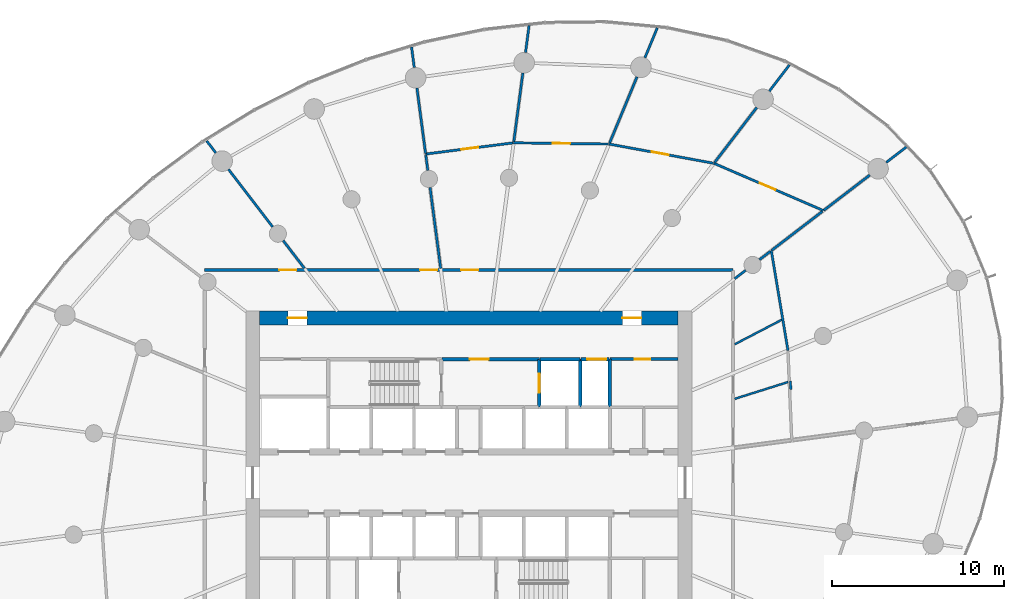
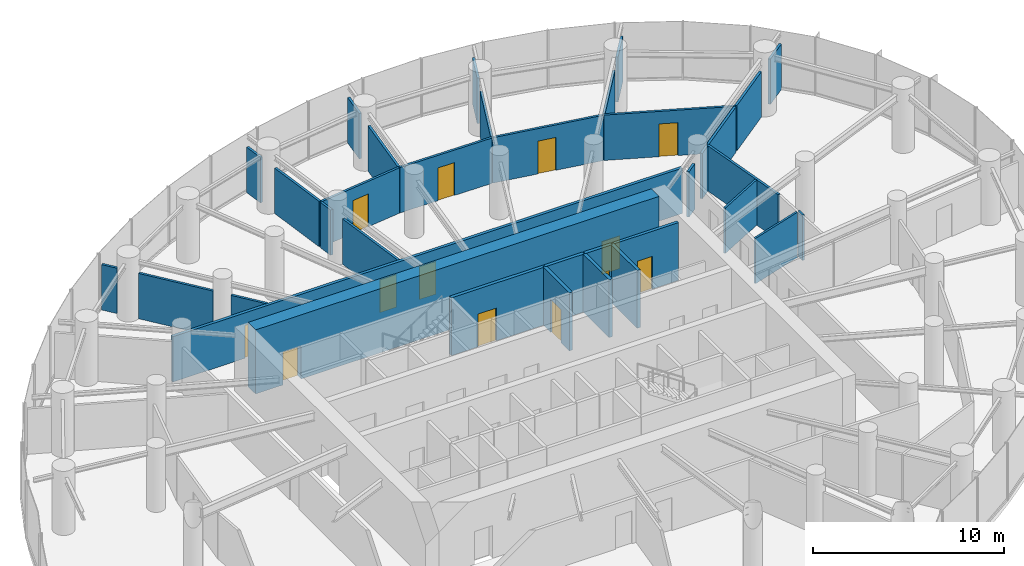
# One storey, part 13 of 17: 35 walls, 13 doors, 13 openings.
"""IFC4 building model written with IfcOpenShell, lengths in metres."""

from ifc_helpers import new_model, si_unit, direction, frame, frame_2d, origin, place, context, subcontext, project, spatial, rectangle, extrude, source, transform, mapped, material, layer, layer_set, type_object, element, fill, save


model = new_model("IFC4")

# Units and contexts
model_context = context("Model", 3, precision=1e-05, world=origin(), true_north=direction((0.0, 1.0)))
body_context = subcontext(model_context, "Body", "Model", "MODEL_VIEW")
ifc_project = project(units=[si_unit("LENGTHUNIT", "METRE"), si_unit("AREAUNIT", "SQUARE_METRE"), si_unit("VOLUMEUNIT", "CUBIC_METRE"), si_unit("PLANEANGLEUNIT", "RADIAN"), si_unit("MASSUNIT", "GRAM", prefix="KILO")], contexts=[model_context])

# Site, building, storey
site_placement = place(None, origin())
site = spatial("IfcSite", under=ifc_project, at=site_placement, CompositionType="ELEMENT")
building_placement = place(site_placement, origin())
building = spatial("IfcBuilding", under=site, at=building_placement, Name="Spindrift Exchange Tower", CompositionType="ELEMENT")
storey_placement = place(building_placement, frame((0.0, 0.0, 112.60009765625)))
storey = spatial("IfcBuildingStorey", under=building, at=storey_placement, Name="L26", CompositionType="ELEMENT", Elevation=112.60009765625)

# Wall, openings, doors
ifc_material_1 = material(Name="Concrete 65 MPa", Category="concrete")
ifc_layer_1 = layer(ifc_material_1, 0.800048828125)
ifc_layer_set_1 = layer_set([ifc_layer_1], Name="RC Core Wall 800 Concrete 65 MPa")
wall_type_1 = type_object("IfcWallType", Name="RC Core Wall 800 Concrete 65 MPa", PredefinedType="SHEAR", material=ifc_layer_set_1)
wall_1_placement = place(storey_placement, frame((64.199951171875, 57.60009765625, 0.0), z_axis=(0.0, 0.0, 1.0), x_axis=(-1.0, 0.0, 0.0)))
wall_1 = element("IfcWall", 1, at=wall_1_placement, inside=storey, type_object=wall_type_1, Name="Core wall N L26", PredefinedType="SHEAR", context=body_context, shape_type="SweptSolid", body=[
    extrude(rectangle(XDim=24.39990234375, YDim=0.800048828125, at=frame_2d((12.199951171875, 0.0))), origin(), (0.0, 0.0, 1.0), 4.099853515625),
])
opening_1_placement = place(wall_1_placement, frame((21.64990234375, 0.0, 0.0)))
opening_1 = element("IfcOpeningElement", 2, at=opening_1_placement, cuts=wall_1, Name="Opening L26-D20", PredefinedType="OPENING", context=body_context, shape_type="SweptSolid", body=[
    extrude(rectangle(XDim=1.10009765625, YDim=2.10009765625, at=frame_2d((0.550048828125, 1.050048828125))), frame((0.0, 0.409912109375, 0.0), z_axis=(0.0, -1.0, 0.0), x_axis=(1.0, 0.0, 0.0)), (0.0, 0.0, 1.0), 0.820068359375),
])
opening_2_placement = place(wall_1_placement, frame((2.14990234375, 0.0, 0.0)))
opening_2 = element("IfcOpeningElement", 3, at=opening_2_placement, cuts=wall_1, Name="Opening L26-D21", PredefinedType="OPENING", context=body_context, shape_type="SweptSolid", body=[
    extrude(rectangle(XDim=1.10009765625, YDim=2.10009765625, at=frame_2d((0.550048828125, 1.050048828125))), frame((0.0, 0.409912109375, 0.0), z_axis=(0.0, -1.0, 0.0), x_axis=(1.0, 0.0, 0.0)), (0.0, 0.0, 1.0), 0.820068359375),
])
ifc_material_2 = material(Name="Steel fire door", Category="steel")
door_type_1 = type_object("IfcDoorType", Name="DR-STAIR-1100", OperationType="NOTDEFINED", PredefinedType="DOOR", material=ifc_material_2)
shared_shape_1 = source(origin(), body_context, "Body", "SweptSolid", [
    extrude(rectangle(XDim=1.10009765625, YDim=2.10009765625, at=frame_2d((0.550048828125, 1.050048828125))), frame((0.0, 0.02490234375, 0.0), z_axis=(0.0, -1.0, 0.0), x_axis=(1.0, 0.0, 0.0)), (0.0, 0.0, 1.0), 0.050048828125),
])
door_1_placement = place(opening_1_placement, origin())
door_1 = element("IfcDoor", 4, at=door_1_placement, inside=storey, type_object=door_type_1, Name="L26 Stair door 20", OperationType="SINGLE_SWING_RIGHT", OverallHeight=2.10009765625, OverallWidth=1.10009765625, PredefinedType="DOOR", context=body_context, shape_type="MappedRepresentation", body=[
    mapped(shared_shape_1, transform((0.0, 0.0, 0.0), scale=1.0)),
])
fill(opening_1, door_1)
door_2_placement = place(opening_2_placement, origin())
door_2 = element("IfcDoor", 5, at=door_2_placement, inside=storey, type_object=door_type_1, Name="L26 Stair door 21", OperationType="SINGLE_SWING_LEFT", OverallHeight=2.10009765625, OverallWidth=1.10009765625, PredefinedType="DOOR", context=body_context, shape_type="MappedRepresentation", body=[
    mapped(shared_shape_1, transform((0.0, 0.0, 0.0), scale=1.0)),
])
fill(opening_2, door_2)

# Wall, opening, door
ifc_material_3 = material(Name="Fire-rated plasterboard partition", Category="gypsum")
ifc_layer_2 = layer(ifc_material_3, 0.179931640625)
ifc_layer_set_2 = layer_set([ifc_layer_2], Name="W-CORR-180")
wall_type_2 = type_object("IfcWallType", Name="W-CORR-180", PredefinedType="PARTITIONING", material=ifc_layer_set_2)
wall_2_placement = place(storey_placement, frame((64.179931640625, 55.199951171875, 0.0), z_axis=(0.0, 0.0, 1.0), x_axis=(-1.0, 0.0, 0.0)))
wall_2 = element("IfcWall", 6, at=wall_2_placement, inside=storey, type_object=wall_type_2, Name="L26 Partition wall 62", PredefinedType="PARTITIONING", context=body_context, shape_type="SweptSolid", body=[
    extrude(rectangle(XDim=3.949951171875, YDim=0.179931640625, at=frame_2d((1.97509765625, 0.0))), origin(), (0.0, 0.0, 1.0), 3.699951171875),
])
opening_3_placement = place(wall_2_placement, frame((1.60009765625, 0.0, 0.0)))
opening_3 = element("IfcOpeningElement", 7, at=opening_3_placement, cuts=wall_2, Name="Opening L26-D52", PredefinedType="OPENING", context=body_context, shape_type="SweptSolid", body=[
    extrude(rectangle(XDim=0.89990234375, YDim=2.10009765625, at=frame_2d((0.449951171875, 1.050048828125))), frame((0.0, 0.099853515625, 0.0), z_axis=(0.0, -1.0, 0.0), x_axis=(1.0, 0.0, 0.0)), (0.0, 0.0, 1.0), 0.199951171875),
])
ifc_material_4 = material(Name="Steel access door", Category="steel")
door_type_2 = type_object("IfcDoorType", Name="DR-RISER-900", OperationType="NOTDEFINED", PredefinedType="DOOR", material=ifc_material_4)
shared_shape_2 = source(origin(), body_context, "Body", "SweptSolid", [
    extrude(rectangle(XDim=0.89990234375, YDim=2.10009765625, at=frame_2d((0.449951171875, 1.050048828125))), frame((0.0, 0.02490234375, 0.0), z_axis=(0.0, -1.0, 0.0), x_axis=(1.0, 0.0, 0.0)), (0.0, 0.0, 1.0), 0.050048828125),
])
door_3_placement = place(opening_3_placement, origin())
door_3 = element("IfcDoor", 8, at=door_3_placement, inside=storey, type_object=door_type_2, Name="L26 Riser door 52", OperationType="SINGLE_SWING_RIGHT", OverallHeight=2.10009765625, OverallWidth=0.89990234375, PredefinedType="DOOR", context=body_context, shape_type="MappedRepresentation", body=[
    mapped(shared_shape_2, transform((0.0, 0.0, 0.0), scale=1.0)),
])
fill(opening_3, door_3)

# Wall
ifc_layer_3 = layer(ifc_material_3, 0.1201171875)
ifc_layer_set_3 = layer_set([ifc_layer_3], Name="W-PLANT-120")
wall_type_3 = type_object("IfcWallType", Name="W-PLANT-120", PredefinedType="PARTITIONING", material=ifc_layer_set_3)
wall_3_placement = place(storey_placement, frame((70.761962890625, 53.432373046875, 0.0), z_axis=(0.0, 0.0, 1.0), x_axis=(-0.018797491122, 0.999823311554, 0.0)))
element("IfcWall", 9, at=wall_3_placement, inside=storey, type_object=wall_type_3, Name="L26 Partition wall 139", PredefinedType="PARTITIONING", context=body_context, shape_type="SweptSolid", body=[
    extrude(rectangle(XDim=0.48046875, YDim=0.1201171875, at=frame_2d((0.240234375, 0.0))), origin(), (0.0, 0.0, 1.0), 2.89990234375),
])

# Wall, opening, door
ifc_layer_4 = layer(ifc_material_3, 0.139892578125)
ifc_layer_set_4 = layer_set([ifc_layer_4], Name="W-PLANT-140")
wall_type_4 = type_object("IfcWallType", Name="W-PLANT-140", PredefinedType="PARTITIONING", material=ifc_layer_set_4)
wall_4_placement = place(storey_placement, frame((66.282958984375, 66.614013671875, 0.0), z_axis=(0.0, 0.0, 1.0), x_axis=(0.918121300146, -0.396299480467, 0.0)))
wall_4 = element("IfcWall", 10, at=wall_4_placement, inside=storey, type_object=wall_type_4, Name="L26 Partition wall 65", PredefinedType="PARTITIONING", context=body_context, shape_type="SweptSolid", body=[
    extrude(rectangle(XDim=6.953369140625, YDim=0.139892578125, at=frame_2d((3.4765625, 0.0))), origin(), (0.0, 0.0, 1.0), 2.89990234375),
])
opening_4_placement = place(wall_4_placement, frame((2.9033203125, 0.0, 0.0)))
opening_4 = element("IfcOpeningElement", 11, at=opening_4_placement, cuts=wall_4, Name="Opening L26-D28", PredefinedType="OPENING", context=body_context, shape_type="SweptSolid", body=[
    extrude(rectangle(XDim=1.0, YDim=2.10009765625, at=frame_2d((0.5, 1.050048828125))), frame((0.0, 0.079833984375, 0.0), z_axis=(0.0, -1.0, 0.0), x_axis=(1.0, 0.0, 0.0)), (0.0, 0.0, 1.0), 0.159912109375),
])
ifc_material_5 = material(Name="Timber-core fire door", Category="wood")
door_type_3 = type_object("IfcDoorType", Name="DR-ROOM-1000", OperationType="NOTDEFINED", PredefinedType="DOOR", material=ifc_material_5)
shared_shape_3 = source(origin(), body_context, "Body", "SweptSolid", [
    extrude(rectangle(XDim=1.0, YDim=2.10009765625, at=frame_2d((0.5, 1.050048828125))), frame((0.0, 0.02490234375, 0.0), z_axis=(0.0, -1.0, 0.0), x_axis=(1.0, 0.0, 0.0)), (0.0, 0.0, 1.0), 0.050048828125),
])
door_4_placement = place(opening_4_placement, origin())
door_4 = element("IfcDoor", 12, at=door_4_placement, inside=storey, type_object=door_type_3, Name="L26 Door 28", OperationType="SINGLE_SWING_RIGHT", OverallHeight=2.10009765625, OverallWidth=1.0, PredefinedType="DOOR", context=body_context, shape_type="MappedRepresentation", body=[
    mapped(shared_shape_3, transform((0.0, 0.0, 0.0), scale=1.0)),
])
fill(opening_4, door_4)

wall_5_placement = place(storey_placement, frame((60.175048828125, 67.736328125, 0.0), z_axis=(0.0, 0.0, 1.0), x_axis=(0.983532551925, -0.180731069007, 0.0)))
wall_5 = element("IfcWall", 13, at=wall_5_placement, inside=storey, type_object=wall_type_4, Name="L26 Partition wall 67", PredefinedType="PARTITIONING", context=body_context, shape_type="SweptSolid", body=[
    extrude(rectangle(XDim=6.18017578125, YDim=0.139892578125, at=frame_2d((3.090087890625, 0.0))), origin(), (0.0, 0.0, 1.0), 2.89990234375),
])
opening_5_placement = place(wall_5_placement, frame((2.5302734375, 0.0, 0.0)))
opening_5 = element("IfcOpeningElement", 14, at=opening_5_placement, cuts=wall_5, Name="Opening L26-D29", PredefinedType="OPENING", context=body_context, shape_type="SweptSolid", body=[
    extrude(rectangle(XDim=1.0, YDim=2.10009765625, at=frame_2d((0.5, 1.050048828125))), frame((0.0, 0.079833984375, 0.0), z_axis=(0.0, -1.0, 0.0), x_axis=(1.0, 0.0, 0.0)), (0.0, 0.0, 1.0), 0.159912109375),
])
door_5_placement = place(opening_5_placement, origin())
door_5 = element("IfcDoor", 15, at=door_5_placement, inside=storey, type_object=door_type_3, Name="L26 Door 29", OperationType="SINGLE_SWING_LEFT", OverallHeight=2.10009765625, OverallWidth=1.0, PredefinedType="DOOR", context=body_context, shape_type="MappedRepresentation", body=[
    mapped(shared_shape_3, transform((0.0, 0.0, 0.0), scale=1.0)),
])
fill(opening_5, door_5)

# Wall
wall_6_placement = place(storey_placement, frame((70.59521484375, 55.702392578125, 0.0), z_axis=(0.0, 0.0, 1.0), x_axis=(-0.163882608994, 0.986479847979, 0.0)))
element("IfcWall", 16, at=wall_6_placement, inside=storey, type_object=wall_type_4, Name="L26 Partition wall 71", PredefinedType="PARTITIONING", context=body_context, shape_type="SweptSolid", body=[
    extrude(rectangle(XDim=5.90380859375, YDim=0.139892578125, at=frame_2d((2.951904296875, 0.0))), origin(), (0.0, 0.0, 1.0), 2.89990234375),
])

# Wall, opening, door
wall_7_placement = place(storey_placement, frame((54.60791015625, 67.80908203125, 0.0), z_axis=(0.0, 0.0, 1.0), x_axis=(0.999914844667, -0.01305003501, 0.0)))
wall_7 = element("IfcWall", 17, at=wall_7_placement, inside=storey, type_object=wall_type_4, Name="L26 Partition wall 74", PredefinedType="PARTITIONING", context=body_context, shape_type="SweptSolid", body=[
    extrude(rectangle(XDim=5.53759765625, YDim=0.139892578125, at=frame_2d((2.768798828125, 0.0))), origin(), (0.0, 0.0, 1.0), 2.89990234375),
])
opening_6_placement = place(wall_7_placement, frame((2.28759765625, 0.0, 0.0)))
opening_6 = element("IfcOpeningElement", 18, at=opening_6_placement, cuts=wall_7, Name="Opening L26-D30", PredefinedType="OPENING", context=body_context, shape_type="SweptSolid", body=[
    extrude(rectangle(XDim=1.0, YDim=2.10009765625, at=frame_2d((0.5, 1.050048828125))), frame((0.0, 0.079833984375, 0.0), z_axis=(0.0, -1.0, 0.0), x_axis=(1.0, 0.0, 0.0)), (0.0, 0.0, 1.0), 0.159912109375),
])
door_6_placement = place(opening_6_placement, origin())
door_6 = element("IfcDoor", 19, at=door_6_placement, inside=storey, type_object=door_type_3, Name="L26 Door 30", OperationType="SINGLE_SWING_RIGHT", OverallHeight=2.10009765625, OverallWidth=1.0, PredefinedType="DOOR", context=body_context, shape_type="MappedRepresentation", body=[
    mapped(shared_shape_3, transform((0.0, 0.0, 0.0), scale=1.0)),
])
fill(opening_6, door_6)

wall_8_placement = place(storey_placement, frame((49.47802734375, 67.155517578125, 0.0), z_axis=(0.0, 0.0, 1.0), x_axis=(0.991978436008, 0.126407209031, 0.0)))
wall_8 = element("IfcWall", 20, at=wall_8_placement, inside=storey, type_object=wall_type_4, Name="L26 Partition wall 79", PredefinedType="PARTITIONING", context=body_context, shape_type="SweptSolid", body=[
    extrude(rectangle(XDim=5.141357421875, YDim=0.139892578125, at=frame_2d((2.57080078125, 0.0))), origin(), (0.0, 0.0, 1.0), 2.89990234375),
])
opening_7_placement = place(wall_8_placement, frame((2.09130859375, 0.0, 0.0)))
opening_7 = element("IfcOpeningElement", 21, at=opening_7_placement, cuts=wall_8, Name="Opening L26-D31", PredefinedType="OPENING", context=body_context, shape_type="SweptSolid", body=[
    extrude(rectangle(XDim=1.0, YDim=2.10009765625, at=frame_2d((0.5, 1.050048828125))), frame((0.0, 0.079833984375, 0.0), z_axis=(0.0, -1.0, 0.0), x_axis=(1.0, 0.0, 0.0)), (0.0, 0.0, 1.0), 0.159912109375),
])
door_7_placement = place(opening_7_placement, origin())
door_7 = element("IfcDoor", 22, at=door_7_placement, inside=storey, type_object=door_type_3, Name="L26 Door 31", OperationType="SINGLE_SWING_LEFT", OverallHeight=2.10009765625, OverallWidth=1.0, PredefinedType="DOOR", context=body_context, shape_type="MappedRepresentation", body=[
    mapped(shared_shape_3, transform((0.0, 0.0, 0.0), scale=1.0)),
])
fill(opening_7, door_7)

# Walls
wall_9_placement = place(storey_placement, frame((50.355712890625, 60.489990234375, 0.0), z_axis=(0.0, 0.0, 1.0), x_axis=(-0.130548834981, 0.991441880135, 0.0)))
element("IfcWall", 23, at=wall_9_placement, inside=storey, type_object=wall_type_4, Name="L26 Partition wall 84", PredefinedType="PARTITIONING", context=body_context, shape_type="SweptSolid", body=[
    extrude(rectangle(XDim=4.75390625, YDim=0.139892578125, at=frame_2d((2.376953125, 0.0))), origin(), (0.0, 0.0, 1.0), 2.89990234375),
])
wall_10_placement = place(storey_placement, frame((60.202392578125, 67.802490234375, 0.0), z_axis=(0.0, 0.0, 1.0), x_axis=(0.38271390309, 0.923866910535, 0.0)))
element("IfcWall", 24, at=wall_10_placement, inside=storey, type_object=wall_type_4, Name="L26 Partition wall 87", PredefinedType="PARTITIONING", context=body_context, shape_type="SweptSolid", body=[
    extrude(rectangle(XDim=4.168212890625, YDim=0.139892578125, at=frame_2d((2.083984375, 0.0))), origin(), (0.0, 0.0, 1.0), 2.89990234375),
])
wall_11_placement = place(storey_placement, frame((40.55908203125, 62.91015625, 0.0), z_axis=(0.0, 0.0, 1.0), x_axis=(-0.608789197027, 0.793332032369, 0.0)))
element("IfcWall", 25, at=wall_11_placement, inside=storey, type_object=wall_type_4, Name="L26 Partition wall 88", PredefinedType="PARTITIONING", context=body_context, shape_type="SweptSolid", body=[
    extrude(rectangle(XDim=4.226806640625, YDim=0.139892578125, at=frame_2d((2.11328125, 0.0))), origin(), (0.0, 0.0, 1.0), 2.89990234375),
])
wall_12_placement = place(storey_placement, frame((54.6171875, 67.87890625, 0.0), z_axis=(0.0, 0.0, 1.0), x_axis=(0.130506184728, 0.991447495205, 0.0)))
element("IfcWall", 26, at=wall_12_placement, inside=storey, type_object=wall_type_4, Name="L26 Partition wall 90", PredefinedType="PARTITIONING", context=body_context, shape_type="SweptSolid", body=[
    extrude(rectangle(XDim=4.033203125, YDim=0.139892578125, at=frame_2d((2.0166015625, 0.0))), origin(), (0.0, 0.0, 1.0), 2.89990234375),
])
wall_13_placement = place(storey_placement, frame((66.326904296875, 66.671142578125, 0.0), z_axis=(0.0, 0.0, 1.0), x_axis=(0.608734471968, 0.793374024428, 0.0)))
element("IfcWall", 27, at=wall_13_placement, inside=storey, type_object=wall_type_4, Name="L26 Partition wall 92", PredefinedType="PARTITIONING", context=body_context, shape_type="SweptSolid", body=[
    extrude(rectangle(XDim=4.0263671875, YDim=0.139892578125, at=frame_2d((2.01318359375, 0.0))), origin(), (0.0, 0.0, 1.0), 2.89990234375),
])
wall_14_placement = place(storey_placement, frame((49.47412109375, 67.185302734375, 0.0), z_axis=(0.0, 0.0, 1.0), x_axis=(-0.130528450204, 0.991444564102, 0.0)))
element("IfcWall", 28, at=wall_14_placement, inside=storey, type_object=wall_type_4, Name="L26 Partition wall 95", PredefinedType="PARTITIONING", context=body_context, shape_type="SweptSolid", body=[
    extrude(rectangle(XDim=3.84375, YDim=0.139892578125, at=frame_2d((1.921875, 0.0))), origin(), (0.0, 0.0, 1.0), 2.89990234375),
])
wall_15_placement = place(storey_placement, frame((69.651611328125, 61.544677734375, 0.0), z_axis=(0.0, 0.0, 1.0), x_axis=(0.793377127062, 0.608730428232, 0.0)))
element("IfcWall", 29, at=wall_15_placement, inside=storey, type_object=wall_type_4, Name="L26 Partition wall 97", PredefinedType="PARTITIONING", context=body_context, shape_type="SweptSolid", body=[
    extrude(rectangle(XDim=3.720703125, YDim=0.139892578125, at=frame_2d((1.8603515625, 0.0))), origin(), (0.0, 0.0, 1.0), 2.89990234375),
])
wall_16_placement = place(storey_placement, frame((72.69091796875, 63.876708984375, 0.0), z_axis=(0.0, 0.0, 1.0), x_axis=(0.793381625317, 0.608724565472, 0.0)))
element("IfcWall", 30, at=wall_16_placement, inside=storey, type_object=wall_type_4, Name="L26 Partition wall 101", PredefinedType="PARTITIONING", context=body_context, shape_type="SweptSolid", body=[
    extrude(rectangle(XDim=3.37548828125, YDim=0.139892578125, at=frame_2d((1.687744140625, 0.0))), origin(), (0.0, 0.0, 1.0), 2.89990234375),
])
wall_17_placement = place(storey_placement, frame((42.416015625, 60.489990234375, 0.0), z_axis=(0.0, 0.0, 1.0), x_axis=(-0.608727763541, 0.793379171578, 0.0)))
element("IfcWall", 31, at=wall_17_placement, inside=storey, type_object=wall_type_4, Name="L26 Partition wall 108", PredefinedType="PARTITIONING", context=body_context, shape_type="SweptSolid", body=[
    extrude(rectangle(XDim=2.04150390625, YDim=0.139892578125, at=frame_2d((1.020751953125, 0.0))), origin(), (0.0, 0.0, 1.0), 2.89990234375),
])
wall_18_placement = place(storey_placement, frame((69.513671875, 70.82421875, 0.0), z_axis=(0.0, 0.0, 1.0), x_axis=(0.608775965964, 0.793342185482, 0.0)))
element("IfcWall", 32, at=wall_18_placement, inside=storey, type_object=wall_type_4, Name="L26 Partition wall 117", PredefinedType="PARTITIONING", context=body_context, shape_type="SweptSolid", body=[
    extrude(rectangle(XDim=1.91943359375, YDim=0.139892578125, at=frame_2d((0.959716796875, 0.0))), origin(), (0.0, 0.0, 1.0), 2.89990234375),
])
wall_19_placement = place(storey_placement, frame((62.260498046875, 72.77099609375, 0.0), z_axis=(0.0, 0.0, 1.0), x_axis=(0.3827117772, 0.923867791187, 0.0)))
element("IfcWall", 33, at=wall_19_placement, inside=storey, type_object=wall_type_4, Name="L26 Partition wall 119", PredefinedType="PARTITIONING", context=body_context, shape_type="SweptSolid", body=[
    extrude(rectangle(XDim=1.876708984375, YDim=0.139892578125, at=frame_2d((0.9384765625, 0.0))), origin(), (0.0, 0.0, 1.0), 2.89990234375),
])
wall_20_placement = place(storey_placement, frame((55.30126953125, 73.075927734375, 0.0), z_axis=(0.0, 0.0, 1.0), x_axis=(0.130526351537, 0.991444840399, 0.0)))
element("IfcWall", 34, at=wall_20_placement, inside=storey, type_object=wall_type_4, Name="L26 Partition wall 122", PredefinedType="PARTITIONING", context=body_context, shape_type="SweptSolid", body=[
    extrude(rectangle(XDim=1.582275390625, YDim=0.139892578125, at=frame_2d((0.791015625, 0.0))), origin(), (0.0, 0.0, 1.0), 2.89990234375),
])
wall_21_placement = place(storey_placement, frame((76.32763671875, 66.667236328125, 0.0), z_axis=(0.0, 0.0, 1.0), x_axis=(0.793320214774, 0.608804596592, 0.0)))
element("IfcWall", 35, at=wall_21_placement, inside=storey, type_object=wall_type_4, Name="L26 Partition wall 125", PredefinedType="PARTITIONING", context=body_context, shape_type="SweptSolid", body=[
    extrude(rectangle(XDim=1.510986328125, YDim=0.139892578125, at=frame_2d((0.75537109375, 0.0))), origin(), (0.0, 0.0, 1.0), 2.89990234375),
])
wall_22_placement = place(storey_placement, frame((48.814697265625, 72.194580078125, 0.0), z_axis=(0.0, 0.0, 1.0), x_axis=(-0.130396807745, 0.991461886574, 0.0)))
element("IfcWall", 36, at=wall_22_placement, inside=storey, type_object=wall_type_4, Name="L26 Partition wall 129", PredefinedType="PARTITIONING", context=body_context, shape_type="SweptSolid", body=[
    extrude(rectangle(XDim=1.203857421875, YDim=0.139892578125, at=frame_2d((0.60205078125, 0.0))), origin(), (0.0, 0.0, 1.0), 2.89990234375),
])
wall_23_placement = place(storey_placement, frame((49.603515625, 66.203369140625, 0.0), z_axis=(0.0, 0.0, 1.0), x_axis=(-0.13051125281, 0.99144682807, 0.0)))
element("IfcWall", 37, at=wall_23_placement, inside=storey, type_object=wall_type_4, Name="L26 Partition wall 131", PredefinedType="PARTITIONING", context=body_context, shape_type="SweptSolid", body=[
    extrude(rectangle(XDim=0.890380859375, YDim=0.139892578125, at=frame_2d((0.4453125, 0.0))), origin(), (0.0, 0.0, 1.0), 2.89990234375),
])
wall_24_placement = place(storey_placement, frame((67.489990234375, 59.885986328125, 0.0), z_axis=(0.0, 0.0, 1.0), x_axis=(0.793316076519, 0.608809989025, 0.0)))
element("IfcWall", 38, at=wall_24_placement, inside=storey, type_object=wall_type_4, Name="L26 Partition wall 132", PredefinedType="PARTITIONING", context=body_context, shape_type="SweptSolid", body=[
    extrude(rectangle(XDim=0.8125, YDim=0.139892578125, at=frame_2d((0.40625, 0.0))), origin(), (0.0, 0.0, 1.0), 2.89990234375),
])
wall_25_placement = place(storey_placement, frame((37.25, 67.222412109375, 0.0), z_axis=(0.0, 0.0, 1.0), x_axis=(-0.608583077593, 0.7934901623, 0.0)))
element("IfcWall", 39, at=wall_25_placement, inside=storey, type_object=wall_type_4, Name="L26 Partition wall 134", PredefinedType="PARTITIONING", context=body_context, shape_type="SweptSolid", body=[
    extrude(rectangle(XDim=0.87939453125, YDim=0.139892578125, at=frame_2d((0.439697265625, 0.0))), origin(), (0.0, 0.0, 1.0), 2.89990234375),
])
wall_26_placement = place(storey_placement, frame((68.93505859375, 60.99462890625, 0.0), z_axis=(0.0, 0.0, 1.0), x_axis=(0.79330932609, 0.608818785139, 0.0)))
element("IfcWall", 40, at=wall_26_placement, inside=storey, type_object=wall_type_4, Name="L26 Partition wall 136", PredefinedType="PARTITIONING", context=body_context, shape_type="SweptSolid", body=[
    extrude(rectangle(XDim=0.7939453125, YDim=0.139892578125, at=frame_2d((0.39697265625, 0.0))), origin(), (0.0, 0.0, 1.0), 2.89990234375),
])

# Wall, openings, doors
ifc_layer_5 = layer(ifc_material_3, 0.179931640625)
ifc_layer_set_5 = layer_set([ifc_layer_5], Name="W-PLANT-180")
wall_type_5 = type_object("IfcWallType", Name="W-PLANT-180", PredefinedType="PARTITIONING", material=ifc_layer_set_5)
wall_27_placement = place(storey_placement, frame((36.60009765625, 60.39990234375, 0.0), z_axis=(0.0, 0.0, 1.0), x_axis=(1.0, 0.0, 0.0)))
wall_27 = element("IfcWall", 41, at=wall_27_placement, inside=storey, type_object=wall_type_5, Name="L26 Partition wall 58", PredefinedType="PARTITIONING", context=body_context, shape_type="SweptSolid", body=[
    extrude(rectangle(XDim=30.7998046875, YDim=0.179931640625, at=frame_2d((15.39990234375, 0.0))), origin(), (0.0, 0.0, 1.0), 2.89990234375),
])
opening_8_placement = place(wall_27_placement, frame((14.949951171875, 0.0, 0.0)))
opening_8 = element("IfcOpeningElement", 42, at=opening_8_placement, cuts=wall_27, Name="Opening L26-D27", PredefinedType="OPENING", context=body_context, shape_type="SweptSolid", body=[
    extrude(rectangle(XDim=1.0, YDim=2.10009765625, at=frame_2d((0.5, 1.050048828125))), frame((0.0, 0.099853515625, 0.0), z_axis=(0.0, -1.0, 0.0), x_axis=(1.0, 0.0, 0.0)), (0.0, 0.0, 1.0), 0.199951171875),
])
opening_9_placement = place(wall_27_placement, frame((12.550048828125, 0.0, 0.0)))
opening_9 = element("IfcOpeningElement", 43, at=opening_9_placement, cuts=wall_27, Name="Opening L26-D33", PredefinedType="OPENING", context=body_context, shape_type="SweptSolid", body=[
    extrude(rectangle(XDim=1.0, YDim=2.10009765625, at=frame_2d((0.5, 1.050048828125))), frame((0.0, 0.099853515625, 0.0), z_axis=(0.0, -1.0, 0.0), x_axis=(1.0, 0.0, 0.0)), (0.0, 0.0, 1.0), 0.199951171875),
])
opening_10_placement = place(wall_27_placement, frame((4.35009765625, 0.0, 0.0)))
opening_10 = element("IfcOpeningElement", 44, at=opening_10_placement, cuts=wall_27, Name="Opening L26-D34", PredefinedType="OPENING", context=body_context, shape_type="SweptSolid", body=[
    extrude(rectangle(XDim=1.0, YDim=2.10009765625, at=frame_2d((0.5, 1.050048828125))), frame((0.0, 0.099853515625, 0.0), z_axis=(0.0, -1.0, 0.0), x_axis=(1.0, 0.0, 0.0)), (0.0, 0.0, 1.0), 0.199951171875),
])
door_8_placement = place(opening_8_placement, origin())
door_8 = element("IfcDoor", 45, at=door_8_placement, inside=storey, type_object=door_type_3, Name="L26 Door 27", OperationType="SINGLE_SWING_LEFT", OverallHeight=2.10009765625, OverallWidth=1.0, PredefinedType="DOOR", context=body_context, shape_type="MappedRepresentation", body=[
    mapped(shared_shape_3, transform((0.0, 0.0, 0.0), scale=1.0)),
])
fill(opening_8, door_8)
door_9_placement = place(opening_9_placement, origin())
door_9 = element("IfcDoor", 46, at=door_9_placement, inside=storey, type_object=door_type_3, Name="L26 Door 33", OperationType="SINGLE_SWING_LEFT", OverallHeight=2.10009765625, OverallWidth=1.0, PredefinedType="DOOR", context=body_context, shape_type="MappedRepresentation", body=[
    mapped(shared_shape_3, transform((0.0, 0.0, 0.0), scale=1.0)),
])
fill(opening_9, door_9)
door_10_placement = place(opening_10_placement, origin())
door_10 = element("IfcDoor", 47, at=door_10_placement, inside=storey, type_object=door_type_3, Name="L26 Door 34", OperationType="SINGLE_SWING_RIGHT", OverallHeight=2.10009765625, OverallWidth=1.0, PredefinedType="DOOR", context=body_context, shape_type="MappedRepresentation", body=[
    mapped(shared_shape_3, transform((0.0, 0.0, 0.0), scale=1.0)),
])
fill(opening_10, door_10)

# Wall, opening, door
ifc_material_6 = material(Name="Concrete 40 MPa", Category="concrete")
ifc_layer_6 = layer(ifc_material_6, 0.199951171875)
ifc_layer_set_6 = layer_set([ifc_layer_6], Name="W-SHAFT-200")
wall_type_6 = type_object("IfcWallType", Name="W-SHAFT-200", PredefinedType="SOLIDWALL", material=ifc_layer_set_6)
wall_28_placement = place(storey_placement, frame((56.10009765625, 55.169921875, 0.0), z_axis=(0.0, 0.0, 1.0), x_axis=(0.0, -1.0, 0.0)))
wall_28 = element("IfcWall", 48, at=wall_28_placement, inside=storey, type_object=wall_type_6, Name="L26 Shaft wall 12", PredefinedType="SOLIDWALL", context=body_context, shape_type="SweptSolid", body=[
    extrude(rectangle(XDim=2.77001953125, YDim=0.199951171875, at=frame_2d((1.385009765625, 0.0))), origin(), (0.0, 0.0, 1.0), 3.699951171875),
])
opening_11_placement = place(wall_28_placement, frame((0.820068359375, 0.0, 0.0)))
opening_11 = element("IfcOpeningElement", 49, at=opening_11_placement, cuts=wall_28, Name="Opening L26-D9", PredefinedType="OPENING", context=body_context, shape_type="SweptSolid", body=[
    extrude(rectangle(XDim=1.10009765625, YDim=2.10009765625, at=frame_2d((0.550048828125, 1.050048828125))), frame((0.0, 0.10986328125, 0.0), z_axis=(0.0, -1.0, 0.0), x_axis=(1.0, 0.0, 0.0)), (0.0, 0.0, 1.0), 0.219970703125),
])
ifc_material_7 = material(Name="Stainless steel landing door", Category="steel")
door_type_4 = type_object("IfcDoorType", Name="DR-LANDING-1100-SL", OperationType="DOUBLE_DOOR_SLIDING", PredefinedType="USERDEFINED", material=ifc_material_7)
shared_shape_4 = source(origin(), body_context, "Body", "SweptSolid", [
    extrude(rectangle(XDim=1.10009765625, YDim=2.10009765625, at=frame_2d((0.550048828125, 1.050048828125))), frame((0.0, 0.02490234375, 0.0), z_axis=(0.0, -1.0, 0.0), x_axis=(1.0, 0.0, 0.0)), (0.0, 0.0, 1.0), 0.050048828125),
])
door_11_placement = place(opening_11_placement, origin())
door_11 = element("IfcDoor", 50, at=door_11_placement, inside=storey, type_object=door_type_4, Name="L26 Lift landing door 9", ObjectType="LANDING DOOR", OperationType="DOUBLE_DOOR_SLIDING", OverallHeight=2.10009765625, OverallWidth=1.10009765625, PredefinedType="USERDEFINED", context=body_context, shape_type="MappedRepresentation", body=[
    mapped(shared_shape_4, transform((0.0, 0.0, 0.0), scale=1.0)),
])
fill(opening_11, door_11)

# Walls
for number, where, z_axis, x_axis, name in (
    (51, (58.5, 52.39990234375, 0.0), (0.0, 0.0, 1.0), (0.0, 1.0, 0.0), "L26 Shaft wall 13"),
    (52, (60.199951171875, 52.39990234375, 0.0), (0.0, 0.0, 1.0), (0.0, 1.0, 0.0), "L26 Shaft wall 14"),
):
    element("IfcWall", number, at=place(storey_placement, frame(where, z_axis=z_axis, x_axis=x_axis)), inside=storey, type_object=wall_type_6, Name=name, PredefinedType="SOLIDWALL", context=body_context, shape_type="SweptSolid", body=[
        extrude(rectangle(XDim=2.800048828125, YDim=0.199951171875, at=frame_2d((1.39990234375, 0.0))), origin(), (0.0, 0.0, 1.0), 3.699951171875),
    ])
wall_29_placement = place(storey_placement, frame((58.469970703125, 55.199951171875, 0.0), z_axis=(0.0, 0.0, 1.0), x_axis=(-1.0, 0.0, 0.0)))
element("IfcWall", 53, at=wall_29_placement, inside=storey, type_object=wall_type_6, Name="L26 Shaft wall 22", PredefinedType="SOLIDWALL", context=body_context, shape_type="SweptSolid", body=[
    extrude(rectangle(XDim=2.340087890625, YDim=0.199951171875, at=frame_2d((1.169921875, 0.0))), origin(), (0.0, 0.0, 1.0), 3.699951171875),
])

# Wall, opening, door
wall_30_placement = place(storey_placement, frame((60.169921875, 55.199951171875, 0.0), z_axis=(0.0, 0.0, 1.0), x_axis=(-1.0, 0.0, 0.0)))
wall_30 = element("IfcWall", 54, at=wall_30_placement, inside=storey, type_object=wall_type_6, Name="L26 Shaft wall 43", PredefinedType="SOLIDWALL", context=body_context, shape_type="SweptSolid", body=[
    extrude(rectangle(XDim=1.639892578125, YDim=0.199951171875, at=frame_2d((0.81982421875, 0.0))), origin(), (0.0, 0.0, 1.0), 3.699951171875),
])
opening_12_placement = place(wall_30_placement, frame((0.169921875, 0.0, 0.0)))
opening_12 = element("IfcOpeningElement", 55, at=opening_12_placement, cuts=wall_30, Name="Opening L26-D11", PredefinedType="OPENING", context=body_context, shape_type="SweptSolid", body=[
    extrude(rectangle(XDim=1.10009765625, YDim=2.10009765625, at=frame_2d((0.550048828125, 1.050048828125))), frame((0.0, 0.10986328125, 0.0), z_axis=(0.0, -1.0, 0.0), x_axis=(1.0, 0.0, 0.0)), (0.0, 0.0, 1.0), 0.219970703125),
])
door_12_placement = place(opening_12_placement, origin())
door_12 = element("IfcDoor", 56, at=door_12_placement, inside=storey, type_object=door_type_4, Name="L26 Lift landing door 11", ObjectType="LANDING DOOR", OperationType="DOUBLE_DOOR_SLIDING", OverallHeight=2.10009765625, OverallWidth=1.10009765625, PredefinedType="USERDEFINED", context=body_context, shape_type="MappedRepresentation", body=[
    mapped(shared_shape_4, transform((0.0, 0.0, 0.0), scale=1.0)),
])
fill(opening_12, door_12)

ifc_layer_7 = layer(ifc_material_6, 0.199951171875)
ifc_layer_set_7 = layer_set([ifc_layer_7], Name="W-SHAFT-200-LB")
wall_type_7 = type_object("IfcWallType", Name="W-SHAFT-200-LB", PredefinedType="SOLIDWALL", material=ifc_layer_set_7)
wall_31_placement = place(storey_placement, frame((56.10009765625, 55.199951171875, 0.0), z_axis=(0.0, 0.0, 1.0), x_axis=(-1.0, 0.0, 0.0)))
wall_31 = element("IfcWall", 57, at=wall_31_placement, inside=storey, type_object=wall_type_7, Name="L26 Shaft wall 4", PredefinedType="SOLIDWALL", context=body_context, shape_type="SweptSolid", body=[
    extrude(rectangle(XDim=5.670166015625, YDim=0.199951171875, at=frame_2d((2.8349609375, 0.0))), origin(), (0.0, 0.0, 1.0), 3.699951171875),
])
opening_13_placement = place(wall_31_placement, frame((2.949951171875, 0.0, 0.0)))
opening_13 = element("IfcOpeningElement", 58, at=opening_13_placement, cuts=wall_31, Name="Opening L26-D15", PredefinedType="OPENING", context=body_context, shape_type="SweptSolid", body=[
    extrude(rectangle(XDim=1.10009765625, YDim=2.10009765625, at=frame_2d((0.550048828125, 1.050048828125))), frame((0.0, 0.10986328125, 0.0), z_axis=(0.0, -1.0, 0.0), x_axis=(1.0, 0.0, 0.0)), (0.0, 0.0, 1.0), 0.219970703125),
])
door_type_5 = type_object("IfcDoorType", Name="DR-LOBBY-1100", OperationType="NOTDEFINED", PredefinedType="DOOR", material=ifc_material_5)
shared_shape_5 = source(origin(), body_context, "Body", "SweptSolid", [
    extrude(rectangle(XDim=1.10009765625, YDim=2.10009765625, at=frame_2d((0.550048828125, 1.050048828125))), frame((0.0, 0.02490234375, 0.0), z_axis=(0.0, -1.0, 0.0), x_axis=(1.0, 0.0, 0.0)), (0.0, 0.0, 1.0), 0.050048828125),
])
door_13_placement = place(opening_13_placement, origin())
door_13 = element("IfcDoor", 59, at=door_13_placement, inside=storey, type_object=door_type_5, Name="L26 Lobby door 15", OperationType="SINGLE_SWING_LEFT", OverallHeight=2.10009765625, OverallWidth=1.10009765625, PredefinedType="DOOR", context=body_context, shape_type="MappedRepresentation", body=[
    mapped(shared_shape_5, transform((0.0, 0.0, 0.0), scale=1.0)),
])
fill(opening_13, door_13)

# Walls
ifc_layer_8 = layer(ifc_material_3, 0.1201171875)
ifc_layer_set_8 = layer_set([ifc_layer_8], Name="W-WET-120")
wall_type_8 = type_object("IfcWallType", Name="W-WET-120", PredefinedType="PARTITIONING", material=ifc_layer_set_8)
wall_32_placement = place(storey_placement, frame((67.489990234375, 52.884033203125, 0.0), z_axis=(0.0, 0.0, 1.0), x_axis=(0.953738512862, 0.300637404666, 0.0)))
element("IfcWall", 60, at=wall_32_placement, inside=storey, type_object=wall_type_8, Name="L26 Partition wall 138", PredefinedType="PARTITIONING", context=body_context, shape_type="SweptSolid", body=[
    extrude(rectangle(XDim=3.2646484375, YDim=0.1201171875, at=frame_2d((1.63232421875, 0.0))), origin(), (0.0, 0.0, 1.0), 2.89990234375),
])
wall_33_placement = place(storey_placement, frame((67.489990234375, 56.063720703125, 0.0), z_axis=(0.0, 0.0, 1.0), x_axis=(0.88701466728, 0.461741247919, 0.0)))
element("IfcWall", 61, at=wall_33_placement, inside=storey, type_object=wall_type_8, Name="L26 Partition wall 140", PredefinedType="PARTITIONING", context=body_context, shape_type="SweptSolid", body=[
    extrude(rectangle(XDim=3.086181640625, YDim=0.1201171875, at=frame_2d((1.54296875, 0.0))), origin(), (0.0, 0.0, 1.0), 2.89990234375),
])

save(model, "model.ifc")
